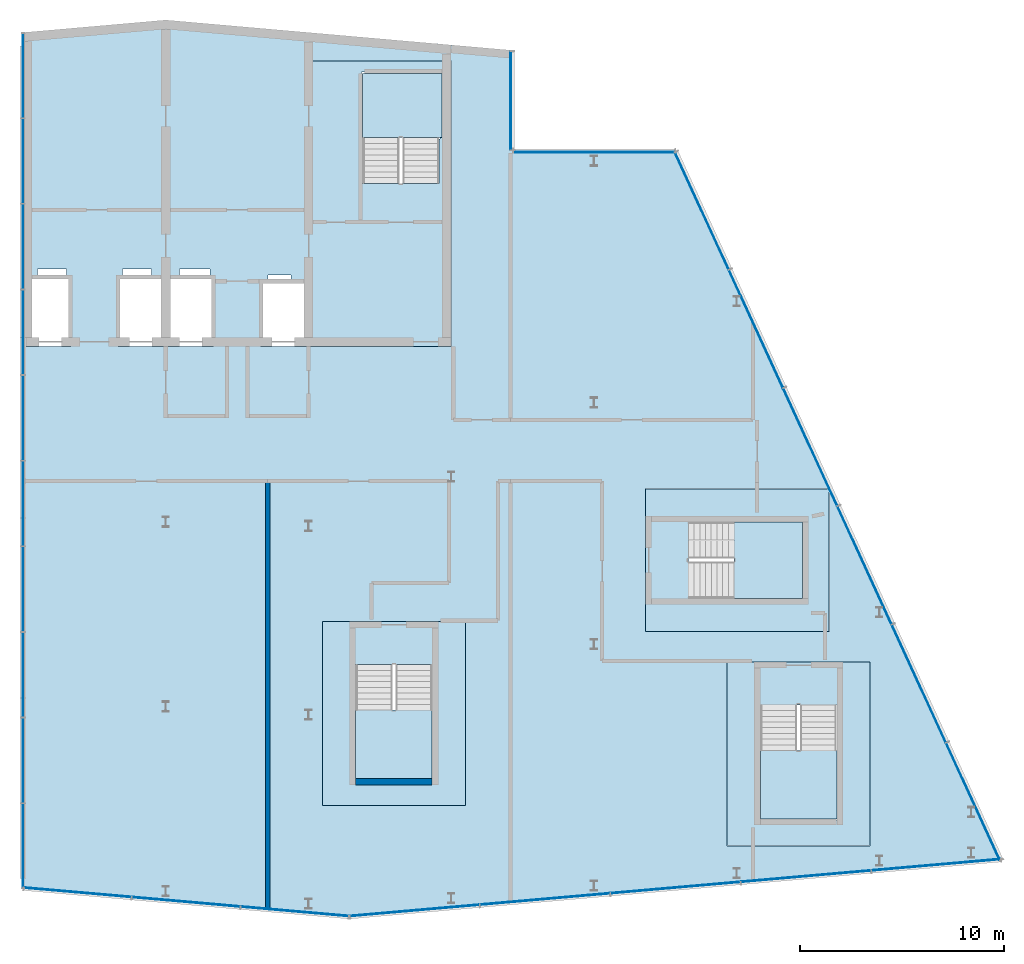
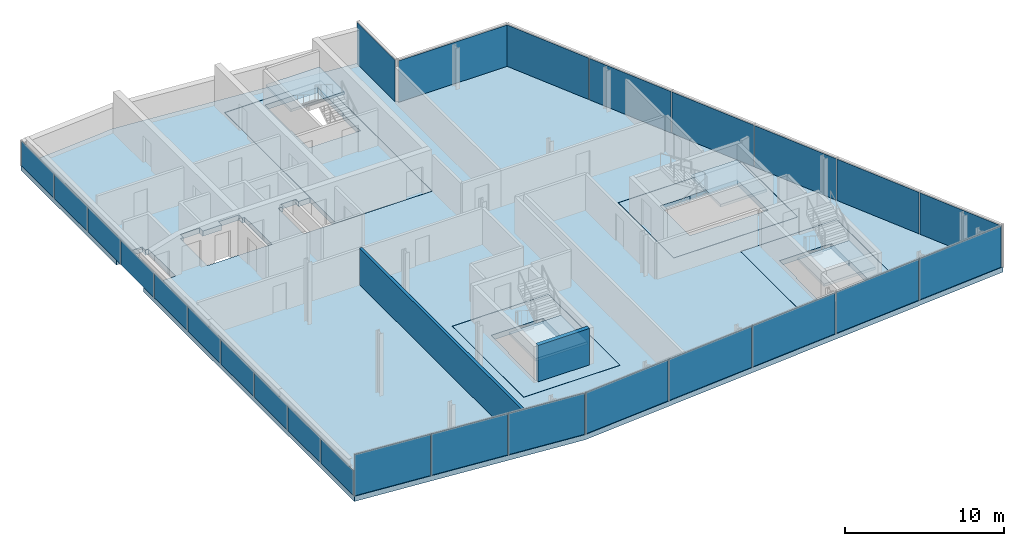
# One storey, part 8 of 13: 26 plates, 9 slabs, 2 walls, 10 elements without a shape of their own.
"""IFC4 building model written with IfcOpenShell, lengths in metres."""

from ifc_helpers import new_model, si_unit, direction, frame, frame_2d, origin, origin_2d, place, context, subcontext, project, spatial, polyline, rectangle, outline, extrude, material, layer, layer_set, type_object, element, aggregate, save


model = new_model("IFC4")

# Units and contexts
model_context = context("Model", 3, precision=1e-05, world=origin(), true_north=direction((0.0, 1.0)))
body_context = subcontext(model_context, "Body", "Model", "MODEL_VIEW")
ifc_project = project(units=[si_unit("LENGTHUNIT", "METRE"), si_unit("AREAUNIT", "SQUARE_METRE"), si_unit("VOLUMEUNIT", "CUBIC_METRE"), si_unit("PLANEANGLEUNIT", "RADIAN"), si_unit("MASSUNIT", "GRAM", prefix="KILO")], contexts=[model_context])

# Site, building, storey
site_placement = place(None, origin())
site = spatial("IfcSite", under=ifc_project, at=site_placement, CompositionType="ELEMENT")
building_placement = place(site_placement, origin())
building = spatial("IfcBuilding", under=site, at=building_placement, Name="Wharfspan Tower", CompositionType="ELEMENT")
storey_placement = place(building_placement, frame((0.0, 0.0, 264.300049)))
storey = spatial("IfcBuildingStorey", under=building, at=storey_placement, Name="L67", CompositionType="ELEMENT", Elevation=264.300049)

# Curtain wall, plates
ifc_material_1 = material(Name="Aluminium 6063-T6", Category="aluminium")
curtain_wall_type_1 = type_object("IfcCurtainWallType", Name="CURTAIN WALL CROWN GABLE", PredefinedType="NOTDEFINED", material=ifc_material_1)
curtain_wall_1_placement = place(storey_placement, origin())
curtain_wall_1 = element("IfcCurtainWall", 1, at=curtain_wall_1_placement, inside=storey, type_object=curtain_wall_type_1, Name="Crown gable glazing", PredefinedType="NOTDEFINED")
ifc_material_2 = material(Name="Glass clear low-iron double glazing", Category="glass")
ifc_layer_1 = layer(ifc_material_2, 0.035889)
ifc_layer_set_1 = layer_set([ifc_layer_1], Name="Glass clear low-iron double glazing")
plate_type_1 = type_object("IfcPlateType", Name="GLASS PANEL CROWN GABLE 36", PredefinedType="CURTAIN_PANEL", material=ifc_layer_set_1)
plate_1_placement = place(storey_placement, frame((30.0, 9.515137, 0.0), z_axis=(0.0, 0.0, 1.0), x_axis=(0.0, 1.0, 0.0)))
plate_1 = element("IfcPlate", 2, at=plate_1_placement, type_object=plate_type_1, Name="Crown gable glazing panel 1", PredefinedType="CURTAIN_PANEL", context=body_context, shape_type="SweptSolid", body=[
    extrude(rectangle(XDim=4.109863, YDim=0.035889, at=origin_2d()), origin(), (0.0, 0.0, 1.0), 1.918701),
])
plate_2_placement = place(storey_placement, frame((30.0, 13.700195, 0.0), z_axis=(0.0, 0.0, 1.0), x_axis=(0.0, 1.0, 0.0)))
plate_2 = element("IfcPlate", 3, at=plate_2_placement, type_object=plate_type_1, Name="Crown gable glazing panel 2", PredefinedType="CURTAIN_PANEL", context=body_context, shape_type="SweptSolid", body=[
    extrude(rectangle(XDim=4.139893, YDim=0.035889, at=origin_2d()), origin(), (0.0, 0.0, 1.0), 1.918701),
])
plate_3_placement = place(storey_placement, frame((30.0, 17.900146, 0.0), z_axis=(0.0, 0.0, 1.0), x_axis=(0.0, 1.0, 0.0)))
plate_3 = element("IfcPlate", 4, at=plate_3_placement, type_object=plate_type_1, Name="Crown gable glazing panel 3", PredefinedType="CURTAIN_PANEL", context=body_context, shape_type="SweptSolid", body=[
    extrude(rectangle(XDim=4.139893, YDim=0.035889, at=origin_2d()), origin(), (0.0, 0.0, 1.0), 1.918701),
])
plate_4_placement = place(storey_placement, frame((30.0, 22.100098, 0.0), z_axis=(0.0, 0.0, 1.0), x_axis=(0.0, 1.0, 0.0)))
plate_4 = element("IfcPlate", 5, at=plate_4_placement, type_object=plate_type_1, Name="Crown gable glazing panel 4", PredefinedType="CURTAIN_PANEL", context=body_context, shape_type="SweptSolid", body=[
    extrude(rectangle(XDim=4.139893, YDim=0.035889, at=origin_2d()), origin(), (0.0, 0.0, 1.0), 1.918701),
])
plate_5_placement = place(storey_placement, frame((30.0, 26.300049, 0.0), z_axis=(0.0, 0.0, 1.0), x_axis=(0.0, 1.0, 0.0)))
plate_5 = element("IfcPlate", 6, at=plate_5_placement, type_object=plate_type_1, Name="Crown gable glazing panel 5", PredefinedType="CURTAIN_PANEL", context=body_context, shape_type="SweptSolid", body=[
    extrude(rectangle(XDim=4.139893, YDim=0.035889, at=origin_2d()), origin(), (0.0, 0.0, 1.0), 1.918701),
])
plate_6_placement = place(storey_placement, frame((30.0, 30.5, 0.0), z_axis=(0.0, 0.0, 1.0), x_axis=(0.0, 1.0, 0.0)))
plate_6 = element("IfcPlate", 7, at=plate_6_placement, type_object=plate_type_1, Name="Crown gable glazing panel 6", PredefinedType="CURTAIN_PANEL", context=body_context, shape_type="SweptSolid", body=[
    extrude(rectangle(XDim=4.139893, YDim=0.035889, at=origin_2d()), origin(), (0.0, 0.0, 1.0), 1.918701),
])
plate_7_placement = place(storey_placement, frame((30.0, 34.699951, 0.0), z_axis=(0.0, 0.0, 1.0), x_axis=(0.0, 1.0, 0.0)))
plate_7 = element("IfcPlate", 8, at=plate_7_placement, type_object=plate_type_1, Name="Crown gable glazing panel 7", PredefinedType="CURTAIN_PANEL", context=body_context, shape_type="SweptSolid", body=[
    extrude(rectangle(XDim=4.139893, YDim=0.035889, at=origin_2d()), origin(), (0.0, 0.0, 1.0), 1.918701),
])
plate_8_placement = place(storey_placement, frame((30.0, 38.899902, 0.0), z_axis=(0.0, 0.0, 1.0), x_axis=(0.0, 1.0, 0.0)))
plate_8 = element("IfcPlate", 9, at=plate_8_placement, type_object=plate_type_1, Name="Crown gable glazing panel 8", PredefinedType="CURTAIN_PANEL", context=body_context, shape_type="SweptSolid", body=[
    extrude(rectangle(XDim=4.139893, YDim=0.035889, at=origin_2d()), origin(), (0.0, 0.0, 1.0), 1.918701),
])
plate_9_placement = place(storey_placement, frame((30.0, 43.099854, 0.0), z_axis=(0.0, 0.0, 1.0), x_axis=(0.0, 1.0, 0.0)))
plate_9 = element("IfcPlate", 10, at=plate_9_placement, type_object=plate_type_1, Name="Crown gable glazing panel 9", PredefinedType="CURTAIN_PANEL", context=body_context, shape_type="SweptSolid", body=[
    extrude(rectangle(XDim=4.139893, YDim=0.035889, at=origin_2d()), origin(), (0.0, 0.0, 1.0), 1.918701),
])
plate_10_placement = place(storey_placement, frame((30.0, 47.284912, 0.0), z_axis=(0.0, 0.0, 1.0), x_axis=(0.0, 1.0, 0.0)))
plate_10 = element("IfcPlate", 11, at=plate_10_placement, type_object=plate_type_1, Name="Crown gable glazing panel 10", PredefinedType="CURTAIN_PANEL", context=body_context, shape_type="SweptSolid", body=[
    extrude(rectangle(XDim=4.109863, YDim=0.035889, at=origin_2d()), origin(), (0.0, 0.0, 1.0), 1.918701),
])
aggregate(curtain_wall_1, [plate_1, plate_2, plate_3, plate_4, plate_5, plate_6, plate_7, plate_8, plate_9, plate_10])

curtain_wall_type_2 = type_object("IfcCurtainWallType", Name="CURTAIN WALL FACETED FRONT", PredefinedType="NOTDEFINED", material=ifc_material_1)
curtain_wall_2_placement = place(storey_placement, origin())
curtain_wall_2 = element("IfcCurtainWall", 12, at=curtain_wall_2_placement, inside=storey, type_object=curtain_wall_type_2, Name="Crown curtain wall S1", PredefinedType="NOTDEFINED")
ifc_layer_2 = layer(ifc_material_2, 0.040039)
ifc_layer_set_2 = layer_set([ifc_layer_2], Name="Glass clear low-iron double glazing")
plate_type_2 = type_object("IfcPlateType", Name="GLASS PANEL FACETED FRONT 40", PredefinedType="CURTAIN_PANEL", material=ifc_layer_set_2)
plate_11_placement = place(storey_placement, frame((32.670166, 7.226807, 0.0), z_axis=(0.0, 0.0, 1.0), x_axis=(0.996198, -0.087156, 0.0)))
plate_11 = element("IfcPlate", 13, at=plate_11_placement, type_object=plate_type_2, Name="Crown curtain wall S1 panel 1", PredefinedType="CURTAIN_PANEL", context=body_context, shape_type="SweptSolid", body=[
    extrude(rectangle(XDim=5.270508, YDim=0.040039, at=origin_2d()), origin(), (0.0, 0.0, 1.0), 3.184326),
])
plate_12_placement = place(storey_placement, frame((37.995117, 6.760986, 0.0), z_axis=(0.0, 0.0, 1.0), x_axis=(0.996198, -0.087156, 0.0)))
plate_12 = element("IfcPlate", 14, at=plate_12_placement, type_object=plate_type_2, Name="Crown curtain wall S1 panel 2", PredefinedType="CURTAIN_PANEL", context=body_context, shape_type="SweptSolid", body=[
    extrude(rectangle(XDim=5.300293, YDim=0.040039, at=origin_2d()), origin(), (0.0, 0.0, 1.0), 3.184326),
])
plate_13_placement = place(storey_placement, frame((43.320312, 6.294922, 0.0), z_axis=(0.0, 0.0, 1.0), x_axis=(0.996198, -0.087156, 0.0)))
plate_13 = element("IfcPlate", 15, at=plate_13_placement, type_object=plate_type_2, Name="Crown curtain wall S1 panel 3", PredefinedType="CURTAIN_PANEL", context=body_context, shape_type="SweptSolid", body=[
    extrude(rectangle(XDim=5.270508, YDim=0.040039, at=origin_2d()), origin(), (0.0, 0.0, 1.0), 3.184326),
])
aggregate(curtain_wall_2, [plate_11, plate_12, plate_13])

curtain_wall_3_placement = place(storey_placement, origin())
curtain_wall_3 = element("IfcCurtainWall", 16, at=curtain_wall_3_placement, inside=storey, type_object=curtain_wall_type_2, Name="Crown curtain wall S2", PredefinedType="NOTDEFINED")
plate_14_placement = place(storey_placement, frame((49.209717, 6.341309, 0.0), z_axis=(0.0, 0.0, 1.0), x_axis=(0.996198, 0.087156, 0.0)))
plate_14 = element("IfcPlate", 17, at=plate_14_placement, type_object=plate_type_2, Name="Crown curtain wall S2 panel 1", PredefinedType="CURTAIN_PANEL", context=body_context, shape_type="SweptSolid", body=[
    extrude(rectangle(XDim=6.334473, YDim=0.040039, at=origin_2d()), origin(), (0.0, 0.0, 1.0), 3.184326),
])
plate_15_placement = place(storey_placement, frame((55.594727, 6.900146, 0.0), z_axis=(0.0, 0.0, 1.0), x_axis=(0.996198, 0.087156, 0.0)))
plate_15 = element("IfcPlate", 18, at=plate_15_placement, type_object=plate_type_2, Name="Crown curtain wall S2 panel 2", PredefinedType="CURTAIN_PANEL", context=body_context, shape_type="SweptSolid", body=[
    extrude(rectangle(XDim=6.364502, YDim=0.040039, at=origin_2d()), origin(), (0.0, 0.0, 1.0), 3.184326),
])
plate_16_placement = place(storey_placement, frame((61.994873, 7.459961, 0.0), z_axis=(0.0, 0.0, 1.0), x_axis=(0.996198, 0.087156, 0.0)))
plate_16 = element("IfcPlate", 19, at=plate_16_placement, type_object=plate_type_2, Name="Crown curtain wall S2 panel 3", PredefinedType="CURTAIN_PANEL", context=body_context, shape_type="SweptSolid", body=[
    extrude(rectangle(XDim=6.364502, YDim=0.040039, at=origin_2d()), origin(), (0.0, 0.0, 1.0), 3.184326),
])
plate_17_placement = place(storey_placement, frame((68.394775, 8.019775, 0.0), z_axis=(0.0, 0.0, 1.0), x_axis=(0.996198, 0.087156, 0.0)))
plate_17 = element("IfcPlate", 20, at=plate_17_placement, type_object=plate_type_2, Name="Crown curtain wall S2 panel 4", PredefinedType="CURTAIN_PANEL", context=body_context, shape_type="SweptSolid", body=[
    extrude(rectangle(XDim=6.364502, YDim=0.040039, at=origin_2d()), origin(), (0.0, 0.0, 1.0), 3.184326),
])
plate_18_placement = place(storey_placement, frame((74.779785, 8.578613, 0.0), z_axis=(0.0, 0.0, 1.0), x_axis=(0.996198, 0.087156, 0.0)))
plate_18 = element("IfcPlate", 21, at=plate_18_placement, type_object=plate_type_2, Name="Crown curtain wall S2 panel 5", PredefinedType="CURTAIN_PANEL", context=body_context, shape_type="SweptSolid", body=[
    extrude(rectangle(XDim=6.334473, YDim=0.040039, at=origin_2d()), origin(), (0.0, 0.0, 1.0), 3.184326),
])
aggregate(curtain_wall_3, [plate_14, plate_15, plate_16, plate_17, plate_18])

curtain_wall_type_3 = type_object("IfcCurtainWallType", Name="CURTAIN WALL PROW AND END", PredefinedType="NOTDEFINED", material=ifc_material_1)
curtain_wall_4_placement = place(storey_placement, origin())
curtain_wall_4 = element("IfcCurtainWall", 22, at=curtain_wall_4_placement, inside=storey, type_object=curtain_wall_type_3, Name="Crown curtain wall E", PredefinedType="NOTDEFINED")
ifc_layer_3 = layer(ifc_material_2, 0.040039)
ifc_layer_set_3 = layer_set([ifc_layer_3], Name="Glass clear low-iron double glazing")
plate_type_3 = type_object("IfcPlateType", Name="GLASS PANEL PROW AND END 40", PredefinedType="CURTAIN_PANEL", material=ifc_layer_set_3)
plate_19_placement = place(storey_placement, frame((76.589355, 11.680176, 0.0), z_axis=(0.0, 0.0, 1.0), x_axis=(-0.417292, 0.908769, 0.0)))
plate_19 = element("IfcPlate", 23, at=plate_19_placement, type_object=plate_type_3, Name="Crown curtain wall E panel 1", PredefinedType="CURTAIN_PANEL", context=body_context, shape_type="SweptSolid", body=[
    extrude(rectangle(XDim=6.292236, YDim=0.040039, at=origin_2d()), origin(), (0.0, 0.0, 1.0), 3.184326),
])
plate_20_placement = place(storey_placement, frame((73.932373, 17.466553, 0.0), z_axis=(0.0, 0.0, 1.0), x_axis=(-0.417292, 0.908769, 0.0)))
plate_20 = element("IfcPlate", 24, at=plate_20_placement, type_object=plate_type_3, Name="Crown curtain wall E panel 2", PredefinedType="CURTAIN_PANEL", context=body_context, shape_type="SweptSolid", body=[
    extrude(rectangle(XDim=6.322266, YDim=0.040039, at=origin_2d()), origin(), (0.0, 0.0, 1.0), 3.184326),
])
plate_21_placement = place(storey_placement, frame((71.269043, 23.266602, 0.0), z_axis=(0.0, 0.0, 1.0), x_axis=(-0.417292, 0.908769, 0.0)))
plate_21 = element("IfcPlate", 25, at=plate_21_placement, type_object=plate_type_3, Name="Crown curtain wall E panel 3", PredefinedType="CURTAIN_PANEL", context=body_context, shape_type="SweptSolid", body=[
    extrude(rectangle(XDim=6.322266, YDim=0.040039, at=origin_2d()), origin(), (0.0, 0.0, 1.0), 3.184326),
])
plate_22_placement = place(storey_placement, frame((68.605957, 29.06665, 0.0), z_axis=(0.0, 0.0, 1.0), x_axis=(-0.417292, 0.908769, 0.0)))
plate_22 = element("IfcPlate", 26, at=plate_22_placement, type_object=plate_type_3, Name="Crown curtain wall E panel 4", PredefinedType="CURTAIN_PANEL", context=body_context, shape_type="SweptSolid", body=[
    extrude(rectangle(XDim=6.322266, YDim=0.040039, at=origin_2d()), origin(), (0.0, 0.0, 1.0), 3.184326),
])
plate_23_placement = place(storey_placement, frame((65.942627, 34.866699, 0.0), z_axis=(0.0, 0.0, 1.0), x_axis=(-0.417292, 0.908769, 0.0)))
plate_23 = element("IfcPlate", 27, at=plate_23_placement, type_object=plate_type_3, Name="Crown curtain wall E panel 5", PredefinedType="CURTAIN_PANEL", context=body_context, shape_type="SweptSolid", body=[
    extrude(rectangle(XDim=6.322266, YDim=0.040039, at=origin_2d()), origin(), (0.0, 0.0, 1.0), 3.184326),
])
plate_24_placement = place(storey_placement, frame((63.285645, 40.653076, 0.0), z_axis=(0.0, 0.0, 1.0), x_axis=(-0.417292, 0.908769, 0.0)))
plate_24 = element("IfcPlate", 28, at=plate_24_placement, type_object=plate_type_3, Name="Crown curtain wall E panel 6", PredefinedType="CURTAIN_PANEL", context=body_context, shape_type="SweptSolid", body=[
    extrude(rectangle(XDim=6.292236, YDim=0.040039, at=origin_2d()), origin(), (0.0, 0.0, 1.0), 3.184326),
])
aggregate(curtain_wall_4, [plate_19, plate_20, plate_21, plate_22, plate_23, plate_24])

# Curtain wall, plate
curtain_wall_5_placement = place(storey_placement, origin())
curtain_wall_5 = element("IfcCurtainWall", 29, at=curtain_wall_5_placement, inside=storey, type_object=curtain_wall_type_3, Name="Crown curtain wall NRE-H", PredefinedType="NOTDEFINED")
plate_25_placement = place(storey_placement, frame((58.010254, 43.52002, 0.0), z_axis=(0.0, 0.0, 1.0), x_axis=(-1.0, 0.0, 0.0)))
plate_25 = element("IfcPlate", 30, at=plate_25_placement, type_object=plate_type_3, Name="Crown curtain wall NRE-H panel 1", PredefinedType="CURTAIN_PANEL", context=body_context, shape_type="SweptSolid", body=[
    extrude(rectangle(XDim=7.900391, YDim=0.040039, at=origin_2d()), origin(), (0.0, 0.0, 1.0), 3.184326),
])
aggregate(curtain_wall_5, [plate_25])

curtain_wall_6_placement = place(storey_placement, origin())
curtain_wall_6 = element("IfcCurtainWall", 31, at=curtain_wall_6_placement, inside=storey, type_object=curtain_wall_type_3, Name="Crown curtain wall NRE-V", PredefinedType="NOTDEFINED")
plate_26_placement = place(storey_placement, frame((53.919922, 46.0625, 0.0), z_axis=(0.0, 0.0, 1.0), x_axis=(0.0, 1.0, 0.0)))
plate_26 = element("IfcPlate", 32, at=plate_26_placement, type_object=plate_type_3, Name="Crown curtain wall NRE-V panel 1", PredefinedType="CURTAIN_PANEL", context=body_context, shape_type="SweptSolid", body=[
    extrude(rectangle(XDim=4.804932, YDim=0.040039, at=origin_2d()), origin(), (0.0, 0.0, 1.0), 3.184326),
])
aggregate(curtain_wall_6, [plate_26])

# Slabs
ifc_material_3 = material(Name="Concrete C40/50", Category="concrete")
ifc_layer_4 = layer(ifc_material_3, 0.399902)
ifc_layer_set_4 = layer_set([ifc_layer_4], Name="Concrete C40/50")
slab_type_1 = type_object("IfcSlabType", Name="Post-tensioned flat slab 400", PredefinedType="FLOOR", material=ifc_layer_set_4)
slab_1_placement = place(storey_placement, frame((0.0, 0.0, -0.400146)))
element("IfcSlab", 33, at=slab_1_placement, inside=storey, type_object=slab_type_1, Name="Floor slab L67", PredefinedType="FLOOR", context=body_context, shape_type="SweptSolid", body=[
    extrude(outline(polyline([(37.0, 50.012207), (30.0, 49.399902), (30.0, 37.409912), (30.706787, 37.409912), (30.706787, 37.810059), (32.126709, 37.810059), (32.126709, 37.409912), (32.343262, 37.409912), (32.343262, 33.98999), (30.0, 33.98999), (30.0, 7.400146), (46.0, 6.000488), (78.0, 8.800049), (62.020508, 43.600098), (54.0, 43.600098), (54.0, 48.524902), (37.0, 50.012207)]), holes=[polyline([(71.541504, 18.531738), (71.541504, 9.511719), (64.521484, 9.511719), (64.521484, 18.531738), (71.541504, 18.531738)]), polyline([(69.541504, 27.031738), (69.541504, 20.011719), (60.521484, 20.011719), (60.521484, 27.031738), (69.541504, 27.031738)]), polyline([(51.701172, 20.510498), (51.701172, 11.490479), (44.681152, 11.490479), (44.681152, 20.510498), (51.701172, 20.510498)]), polyline([(43.143311, 37.51001), (43.143311, 37.209961), (43.98999, 37.209961), (43.98999, 48.01001), (51.01001, 48.01001), (51.01001, 33.98999), (41.656738, 33.98999), (41.656738, 37.209961), (42.023193, 37.209961), (42.023193, 37.51001), (43.143311, 37.51001)]), polyline([(36.293213, 37.810059), (36.293213, 37.409912), (37.666748, 37.409912), (37.666748, 37.810059), (39.166748, 37.810059), (39.166748, 37.409912), (39.343262, 37.409912), (39.343262, 33.98999), (34.656738, 33.98999), (34.656738, 37.409912), (34.873291, 37.409912), (34.873291, 37.810059), (36.293213, 37.810059)])]), origin(), (0.0, 0.0, 1.0), 0.400146),
])
slab_2_placement = place(storey_placement, frame((0.0, 0.0, -0.400146)))
element("IfcSlab", 34, at=slab_2_placement, inside=storey, type_object=slab_type_1, Name="Core floor slab L67 part 1", PredefinedType="FLOOR", context=body_context, shape_type="SweptSolid", body=[
    extrude(outline(polyline([(51.0, 34.0), (51.0, 48.0), (44.0, 48.0), (44.0, 37.201904), (44.000244, 37.201904), (44.000488, 37.201904), (44.000488, 37.201904), (44.000732, 37.201904), (44.000977, 37.201904), (44.001221, 37.20166), (44.001221, 37.201416), (44.001465, 37.201416), (44.001465, 37.201416), (44.001709, 37.201172), (44.001709, 37.200928), (44.001709, 37.200684), (44.001953, 37.200684), (44.001953, 37.200439), (44.001953, 37.200195), (44.001953, 37.199951), (44.001953, 34.0), (51.0, 34.0)]), holes=[polyline([(46.600098, 44.187988), (46.599854, 44.187988), (46.599609, 44.187988), (46.599365, 44.187988), (46.599121, 44.188232), (46.599121, 44.188232), (46.598877, 44.188232), (46.598633, 44.188477), (46.598633, 44.188721), (46.598389, 44.188721), (46.598389, 44.188965), (46.598145, 44.189209), (46.598145, 44.189209), (46.598145, 44.189453), (46.5979, 44.189697), (46.5979, 44.189697), (46.5979, 44.189941), (46.5979, 47.449951), (46.5979, 47.450195), (46.5979, 47.450439), (46.598145, 47.450684), (46.598145, 47.450684), (46.598145, 47.450928), (46.598389, 47.451172), (46.598389, 47.451416), (46.598633, 47.451416), (46.598633, 47.451416), (46.598877, 47.45166), (46.599121, 47.451904), (46.599121, 47.451904), (46.599365, 47.451904), (46.599609, 47.451904), (46.599854, 47.451904), (46.600098, 47.451904), (50.449951, 47.451904), (50.450195, 47.451904), (50.450439, 47.451904), (50.450684, 47.451904), (50.450684, 47.451904), (50.450928, 47.451904), (50.451172, 47.45166), (50.451416, 47.451416), (50.451416, 47.451416), (50.451416, 47.451416), (50.45166, 47.451172), (50.451904, 47.450928), (50.451904, 47.450684), (50.451904, 47.450684), (50.451904, 47.450439), (50.451904, 47.450195), (50.451904, 47.449951), (50.451904, 44.189941), (50.451904, 44.189697), (50.451904, 44.189697), (50.451904, 44.189453), (50.451904, 44.189209), (50.451904, 44.189209), (50.45166, 44.188965), (50.451416, 44.188721), (50.451416, 44.188721), (50.451416, 44.188477), (50.451172, 44.188232), (50.450928, 44.188232), (50.450684, 44.188232), (50.450684, 44.187988), (50.450439, 44.187988), (50.450195, 44.187988), (50.449951, 44.187988), (50.4021, 44.187988), (50.4021, 42.0), (50.4021, 41.999756), (50.4021, 41.999512), (50.401855, 41.999512), (50.401855, 41.999268), (50.401855, 41.999023), (50.401611, 41.998779), (50.401611, 41.998779), (50.401367, 41.998535), (50.401367, 41.998535), (50.401123, 41.998291), (50.400879, 41.998291), (50.400879, 41.998291), (50.400635, 41.998047), (50.400391, 41.998047), (50.400146, 41.998047), (50.399902, 41.998047), (46.649902, 41.998047), (46.649902, 41.998047), (46.649658, 41.998047), (46.649414, 41.998047), (46.64917, 41.998291), (46.64917, 41.998291), (46.648926, 41.998291), (46.648682, 41.998535), (46.648682, 41.998535), (46.648438, 41.998779), (46.648193, 41.998779), (46.648193, 41.999023), (46.648193, 41.999268), (46.648193, 41.999512), (46.647949, 41.999512), (46.647949, 41.999756), (46.647949, 42.0), (46.647949, 44.187988), (46.600098, 44.187988)])]), origin(), (0.0, 0.0, 1.0), 0.400146),
])
slab_3_placement = place(storey_placement, frame((0.0, 0.0, -0.400146)))
element("IfcSlab", 35, at=slab_3_placement, inside=storey, type_object=slab_type_1, Name="Core floor slab L67 part 2", PredefinedType="FLOOR", context=body_context, shape_type="SweptSolid", body=[
    extrude(outline(polyline([(46.016113, 20.500488), (44.691162, 20.500488), (44.691162, 11.500488), (51.691162, 11.500488), (51.691162, 20.500488), (50.366211, 20.500488), (49.591064, 20.500488), (49.591064, 20.508301), (46.791016, 20.508301), (46.791016, 20.500488), (46.016113, 20.500488)]), holes=[polyline([(50.066162, 18.402344), (50.066406, 18.402344), (50.066406, 18.402344), (50.06665, 18.402344), (50.066895, 18.4021), (50.066895, 18.4021), (50.067139, 18.4021), (50.067383, 18.401855), (50.067383, 18.401855), (50.067627, 18.401611), (50.067627, 18.401611), (50.067871, 18.401367), (50.067871, 18.401123), (50.068115, 18.400879), (50.068115, 18.400879), (50.068115, 18.400635), (50.068115, 18.400391), (50.068115, 16.212402), (50.116211, 16.212402), (50.116211, 16.212402), (50.116455, 16.212402), (50.116699, 16.212402), (50.116699, 16.212158), (50.116943, 16.212158), (50.117188, 16.211914), (50.117188, 16.211914), (50.117432, 16.211914), (50.117676, 16.21167), (50.117676, 16.211426), (50.11792, 16.211182), (50.11792, 16.211182), (50.11792, 16.210938), (50.11792, 16.210693), (50.118164, 16.210693), (50.118164, 16.210449), (50.118164, 12.750488), (50.118164, 12.750244), (50.11792, 12.75), (50.11792, 12.749756), (50.11792, 12.749512), (50.11792, 12.749512), (50.117676, 12.749268), (50.117676, 12.749023), (50.117432, 12.748779), (50.117188, 12.748779), (50.117188, 12.748779), (50.116943, 12.748535), (50.116699, 12.748535), (50.116699, 12.748291), (50.116455, 12.748291), (50.116211, 12.748291), (50.116211, 12.748291), (46.266113, 12.748291), (46.265869, 12.748291), (46.265625, 12.748291), (46.265381, 12.748291), (46.265381, 12.748535), (46.265137, 12.748535), (46.264893, 12.748779), (46.264893, 12.748779), (46.264648, 12.748779), (46.264404, 12.749023), (46.264404, 12.749268), (46.264404, 12.749512), (46.26416, 12.749512), (46.26416, 12.749756), (46.26416, 12.75), (46.26416, 12.750244), (46.26416, 12.750488), (46.26416, 16.210449), (46.26416, 16.210693), (46.26416, 16.210693), (46.26416, 16.210938), (46.26416, 16.211182), (46.264404, 16.211182), (46.264404, 16.211426), (46.264404, 16.21167), (46.264648, 16.211914), (46.264893, 16.211914), (46.264893, 16.211914), (46.265137, 16.212158), (46.265381, 16.212158), (46.265381, 16.212402), (46.265625, 16.212402), (46.265869, 16.212402), (46.266113, 16.212402), (46.314209, 16.212402), (46.314209, 18.400391), (46.314209, 18.400635), (46.314209, 18.400879), (46.314209, 18.400879), (46.314209, 18.401123), (46.314209, 18.401367), (46.314453, 18.401611), (46.314453, 18.401611), (46.314697, 18.401855), (46.314697, 18.401855), (46.314941, 18.4021), (46.315186, 18.4021), (46.315186, 18.4021), (46.31543, 18.402344), (46.315674, 18.402344), (46.315918, 18.402344), (46.316162, 18.402344), (50.066162, 18.402344)])]), origin(), (0.0, 0.0, 1.0), 0.400146),
])
slab_4_placement = place(storey_placement, frame((0.0, 0.0, -0.400146)))
element("IfcSlab", 36, at=slab_4_placement, inside=storey, type_object=slab_type_1, Name="Core floor slab L67 part 3", PredefinedType="FLOOR", context=body_context, shape_type="SweptSolid", body=[
    extrude(outline(polyline([(66.631592, 20.013672), (69.431641, 20.013672), (69.431641, 20.021729), (69.531494, 20.021729), (69.531494, 27.021729), (60.531494, 27.021729), (60.531494, 25.696777), (60.531494, 24.921631), (60.523682, 24.921631), (60.523682, 22.121582), (60.531494, 22.121582), (60.531494, 21.34668), (60.531494, 20.021729), (66.631592, 20.021729), (66.631592, 20.013672)]), holes=[polyline([(68.281494, 25.44873), (68.281738, 25.44873), (68.281982, 25.44873), (68.282227, 25.448486), (68.282471, 25.448486), (68.282715, 25.448486), (68.282715, 25.448486), (68.282959, 25.448242), (68.282959, 25.447998), (68.283203, 25.447998), (68.283203, 25.447754), (68.283447, 25.447754), (68.283447, 25.44751), (68.283447, 25.447266), (68.283691, 25.447021), (68.283691, 25.447021), (68.283691, 25.446777), (68.283691, 21.59668), (68.283691, 21.596436), (68.283691, 21.596191), (68.283447, 21.596191), (68.283447, 21.595947), (68.283447, 21.595703), (68.283203, 21.595703), (68.283203, 21.595459), (68.282959, 21.595215), (68.282959, 21.595215), (68.282715, 21.595215), (68.282715, 21.594971), (68.282471, 21.594971), (68.282227, 21.594727), (68.281982, 21.594727), (68.281738, 21.594727), (68.281494, 21.594727), (64.821533, 21.594727), (64.821289, 21.594727), (64.821289, 21.594727), (64.821045, 21.594727), (64.820801, 21.594971), (64.820801, 21.594971), (64.820557, 21.595215), (64.820312, 21.595215), (64.820312, 21.595215), (64.820068, 21.595459), (64.820068, 21.595703), (64.819824, 21.595703), (64.819824, 21.595947), (64.81958, 21.596191), (64.81958, 21.596191), (64.81958, 21.596436), (64.81958, 21.59668), (64.81958, 21.644775), (62.631592, 21.644775), (62.631348, 21.644775), (62.631104, 21.644775), (62.631104, 21.644775), (62.630859, 21.64502), (62.630615, 21.64502), (62.630615, 21.64502), (62.630371, 21.645264), (62.630127, 21.645264), (62.630127, 21.645508), (62.629883, 21.645508), (62.629883, 21.645752), (62.629883, 21.645996), (62.629639, 21.645996), (62.629639, 21.64624), (62.629639, 21.646484), (62.629639, 21.646729), (62.629639, 25.396729), (62.629639, 25.396973), (62.629639, 25.397217), (62.629639, 25.397217), (62.629883, 25.397461), (62.629883, 25.397705), (62.629883, 25.397705), (62.630127, 25.397949), (62.630127, 25.398193), (62.630371, 25.398193), (62.630615, 25.398438), (62.630615, 25.398438), (62.630859, 25.398682), (62.631104, 25.398682), (62.631104, 25.398682), (62.631348, 25.398682), (62.631592, 25.398682), (64.81958, 25.398682), (64.81958, 25.446777), (64.81958, 25.447021), (64.81958, 25.447021), (64.81958, 25.447266), (64.819824, 25.44751), (64.819824, 25.447754), (64.820068, 25.447754), (64.820068, 25.447998), (64.820312, 25.447998), (64.820312, 25.448242), (64.820557, 25.448486), (64.820801, 25.448486), (64.820801, 25.448486), (64.821045, 25.448486), (64.821289, 25.44873), (64.821289, 25.44873), (64.821533, 25.44873), (68.281494, 25.44873)])]), origin(), (0.0, 0.0, 1.0), 0.400146),
])
slab_5_placement = place(storey_placement, frame((0.0, 0.0, -0.400146)))
element("IfcSlab", 37, at=slab_5_placement, inside=storey, type_object=slab_type_1, Name="Core floor slab L67 part 4", PredefinedType="FLOOR", context=body_context, shape_type="SweptSolid", body=[
    extrude(outline(polyline([(65.856689, 18.521729), (64.531494, 18.521729), (64.531494, 9.521729), (71.531494, 9.521729), (71.531494, 18.521729), (70.206543, 18.521729), (69.431641, 18.521729), (69.431641, 18.529785), (66.631592, 18.529785), (66.631592, 18.521729), (65.856689, 18.521729)]), holes=[polyline([(69.908691, 14.233643), (69.956543, 14.233643), (69.956787, 14.233643), (69.957031, 14.233643), (69.957275, 14.233643), (69.95752, 14.233643), (69.95752, 14.233398), (69.957764, 14.233398), (69.958008, 14.233398), (69.958008, 14.233154), (69.958252, 14.23291), (69.958252, 14.23291), (69.958496, 14.232666), (69.958496, 14.232422), (69.958496, 14.232422), (69.958496, 14.232178), (69.958496, 14.231934), (69.958496, 14.231689), (69.958496, 10.771729), (69.958496, 10.771484), (69.958496, 10.77124), (69.958496, 10.770996), (69.958496, 10.770996), (69.958496, 10.770752), (69.958252, 10.770508), (69.958252, 10.770508), (69.958008, 10.770264), (69.958008, 10.770264), (69.957764, 10.77002), (69.95752, 10.77002), (69.95752, 10.77002), (69.957275, 10.769775), (69.957031, 10.769775), (69.956787, 10.769775), (69.956543, 10.769775), (66.106689, 10.769775), (66.106445, 10.769775), (66.106201, 10.769775), (66.106201, 10.769775), (66.105957, 10.77002), (66.105713, 10.77002), (66.105469, 10.77002), (66.105469, 10.770264), (66.105225, 10.770264), (66.10498, 10.770508), (66.10498, 10.770508), (66.10498, 10.770752), (66.104736, 10.770996), (66.104736, 10.770996), (66.104736, 10.77124), (66.104492, 10.771484), (66.104492, 10.771729), (66.104492, 14.231689), (66.104492, 14.231934), (66.104736, 14.232178), (66.104736, 14.232422), (66.104736, 14.232422), (66.10498, 14.232666), (66.10498, 14.23291), (66.10498, 14.23291), (66.105225, 14.233154), (66.105469, 14.233398), (66.105469, 14.233398), (66.105713, 14.233398), (66.105957, 14.233643), (66.106201, 14.233643), (66.106201, 14.233643), (66.106445, 14.233643), (66.106689, 14.233643), (66.154541, 14.233643), (66.154541, 16.421631), (66.154541, 16.421875), (66.154785, 16.422119), (66.154785, 16.422363), (66.154785, 16.422607), (66.154785, 16.422607), (66.155029, 16.422852), (66.155029, 16.423096), (66.155273, 16.423096), (66.155518, 16.42334), (66.155518, 16.42334), (66.155762, 16.423584), (66.156006, 16.423584), (66.156006, 16.423584), (66.15625, 16.423584), (66.156494, 16.423584), (66.156494, 16.423584), (69.906494, 16.423584), (69.906738, 16.423584), (69.906982, 16.423584), (69.907227, 16.423584), (69.907471, 16.423584), (69.907715, 16.423584), (69.907715, 16.42334), (69.907959, 16.42334), (69.907959, 16.423096), (69.908203, 16.423096), (69.908203, 16.422852), (69.908447, 16.422607), (69.908447, 16.422607), (69.908447, 16.422363), (69.908691, 16.422119), (69.908691, 16.421875), (69.908691, 16.421631), (69.908691, 14.233643)])]), origin(), (0.0, 0.0, 1.0), 0.400146),
])

# Stair, slab
stair_type = type_object("IfcStairType", Name="Half-turn stair 18 risers 178 mm", PredefinedType="HALF_TURN_STAIR", material=ifc_material_3)
stair_1_placement = place(storey_placement, origin())
stair_1 = element("IfcStair", 38, at=stair_1_placement, inside=storey, type_object=stair_type, Name="L67 stair ST2", PredefinedType="HALF_TURN_STAIR")
ifc_layer_5 = layer(ifc_material_3, 0.199951)
ifc_layer_set_5 = layer_set([ifc_layer_5], Name="Concrete C40/50")
slab_type_2 = type_object("IfcSlabType", Name="Stair landing 200", PredefinedType="LANDING", material=ifc_layer_set_5)
slab_6_placement = place(storey_placement, frame((0.0, 0.0, 1.399658)))
slab_6 = element("IfcSlab", 39, at=slab_6_placement, type_object=slab_type_2, Name="ST2 landing 1", PredefinedType="LANDING", context=body_context, shape_type="SweptSolid", body=[
    extrude(outline(polyline([(46.649902, 44.23999), (50.550049, 44.23999), (50.550049, 47.399902), (46.649902, 47.399902), (46.649902, 44.23999)])), origin(), (0.0, 0.0, 1.0), 0.200195),
])
aggregate(stair_1, [slab_6])

stair_2_placement = place(storey_placement, origin())
stair_2 = element("IfcStair", 40, at=stair_2_placement, inside=storey, type_object=stair_type, Name="L67 stair ST7", PredefinedType="HALF_TURN_STAIR")
slab_7_placement = place(storey_placement, frame((0.0, 0.0, 1.399658)))
slab_7 = element("IfcSlab", 41, at=slab_7_placement, type_object=slab_type_2, Name="ST7 landing 1", PredefinedType="LANDING", context=body_context, shape_type="SweptSolid", body=[
    extrude(outline(polyline([(66.156738, 14.181641), (66.156738, 10.821777), (69.906738, 10.821777), (69.906738, 14.181641), (66.156738, 14.181641)])), origin(), (0.0, 0.0, 1.0), 0.200195),
])
aggregate(stair_2, [slab_7])

stair_3_placement = place(storey_placement, origin())
stair_3 = element("IfcStair", 42, at=stair_3_placement, inside=storey, type_object=stair_type, Name="L67 stair ST8", PredefinedType="HALF_TURN_STAIR")
slab_8_placement = place(storey_placement, frame((0.0, 0.0, 1.399658)))
slab_8 = element("IfcSlab", 43, at=slab_8_placement, type_object=slab_type_2, Name="ST8 landing 1", PredefinedType="LANDING", context=body_context, shape_type="SweptSolid", body=[
    extrude(outline(polyline([(64.871582, 21.646729), (68.231689, 21.646729), (68.231689, 25.396729), (64.871582, 25.396729), (64.871582, 21.646729)])), origin(), (0.0, 0.0, 1.0), 0.200195),
])
aggregate(stair_3, [slab_8])

stair_4_placement = place(storey_placement, origin())
stair_4 = element("IfcStair", 44, at=stair_4_placement, inside=storey, type_object=stair_type, Name="L67 stair ST9", PredefinedType="HALF_TURN_STAIR")
slab_9_placement = place(storey_placement, frame((0.0, 0.0, 1.399658)))
slab_9 = element("IfcSlab", 45, at=slab_9_placement, type_object=slab_type_2, Name="ST9 landing 1", PredefinedType="LANDING", context=body_context, shape_type="SweptSolid", body=[
    extrude(outline(polyline([(46.316162, 16.1604), (46.316162, 12.800293), (50.066162, 12.800293), (50.066162, 16.1604), (46.316162, 16.1604)])), origin(), (0.0, 0.0, 1.0), 0.200195),
])
aggregate(stair_4, [slab_9])

# Walls
ifc_material_4 = material(Name="Calcium silicate masonry", Category="masonry")
ifc_layer_6 = layer(ifc_material_4, 0.199951)
ifc_layer_set_6 = layer_set([ifc_layer_6], Name="Calcium silicate masonry")
wall_type_1 = type_object("IfcWallType", Name="Core room wall 200", PredefinedType="PARTITIONING", material=ifc_layer_set_6)
wall_1_placement = place(storey_placement, frame((42.0, 27.399902, 0.0), z_axis=(0.0, 0.0, 1.0), x_axis=(0.0, -1.0, 0.0)))
element("IfcWall", 46, at=wall_1_placement, inside=storey, type_object=wall_type_1, Name="cr:L67:w2", PredefinedType="PARTITIONING", context=body_context, shape_type="SweptSolid", body=[
    extrude(rectangle(XDim=20.949219, YDim=0.199951, at=frame_2d((10.474609, 0.0))), origin(), (0.0, 0.0, 1.0), 2.800049),
])
ifc_layer_7 = layer(ifc_material_3, 0.300049)
ifc_layer_set_7 = layer_set([ifc_layer_7], Name="Concrete C40/50")
wall_type_2 = type_object("IfcWallType", Name="Stair core wall 300", PredefinedType="SHEAR", material=ifc_layer_set_7)
wall_2_placement = place(storey_placement, frame((46.316162, 12.650391, 0.0), z_axis=(0.0, 0.0, 1.0), x_axis=(1.0, 0.0, 0.0)))
element("IfcWall", 47, at=wall_2_placement, inside=storey, type_object=wall_type_2, Name="ST9 stair enclosure wall L67", PredefinedType="SHEAR", context=body_context, shape_type="SweptSolid", body=[
    extrude(rectangle(XDim=3.75, YDim=0.300049, at=frame_2d((1.875, 0.0))), origin(), (0.0, 0.0, 1.0), 2.800049),
])

save(model, "model.ifc")
